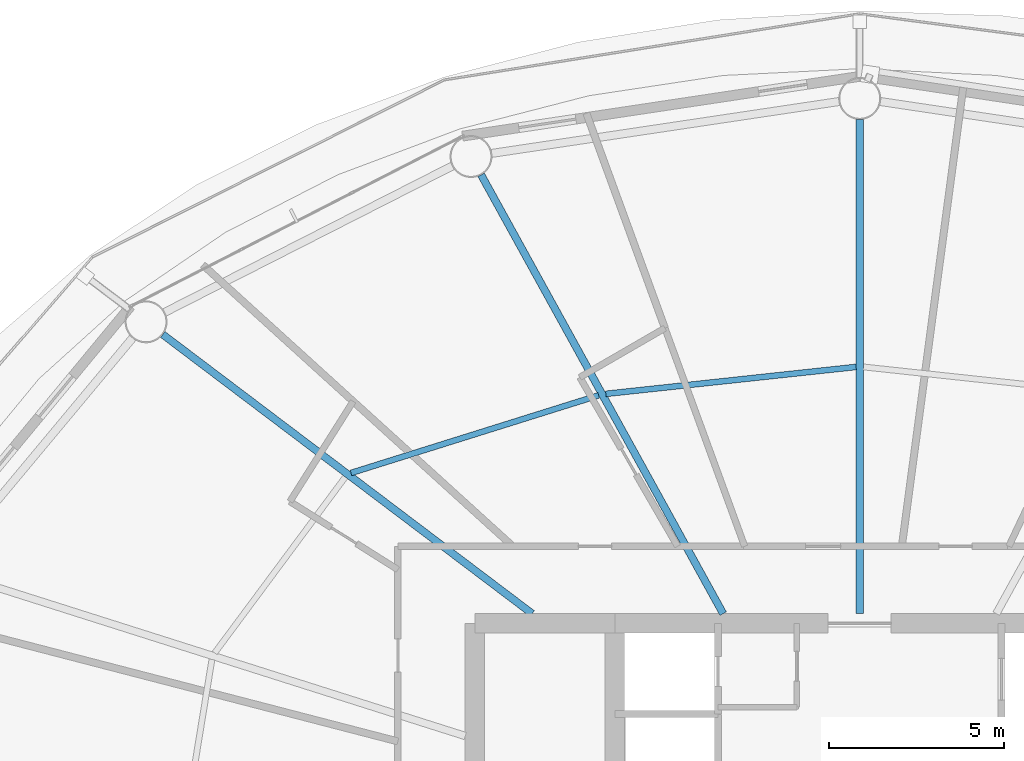
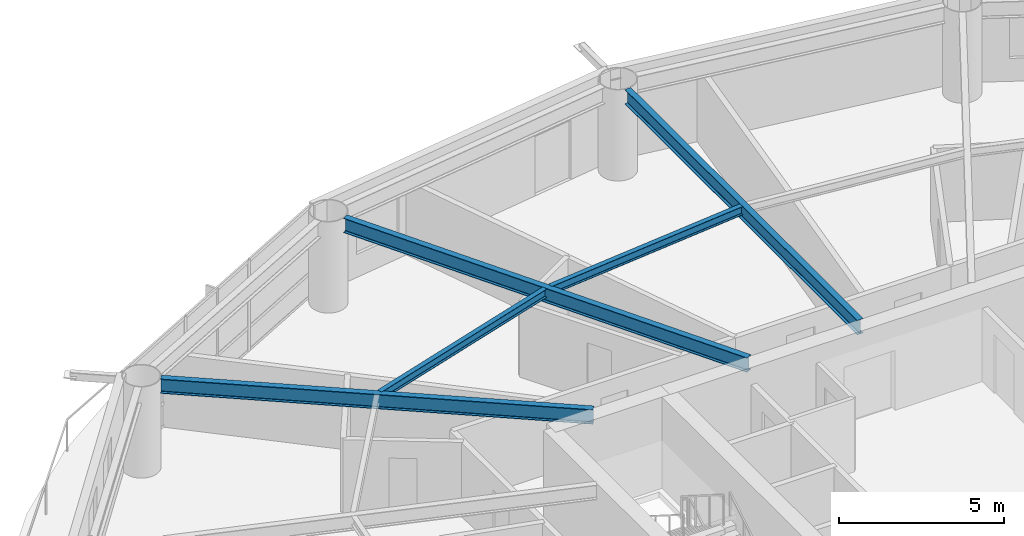
# One storey, part 9 of 24: 5 beams.
"""IFC4 building model written with IfcOpenShell, lengths in metres."""

from ifc_helpers import new_model, si_unit, direction, frame, origin, origin_2d, place, context, subcontext, project, spatial, i_section, extrude, material, material_profile, profile_set, type_object, element, save


model = new_model("IFC4")

# Units and contexts
model_context = context("Model", 3, precision=1e-05, world=origin(), true_north=direction((0.0, 1.0)))
body_context = subcontext(model_context, "Body", "Model", "MODEL_VIEW")
ifc_project = project(units=[si_unit("LENGTHUNIT", "METRE"), si_unit("AREAUNIT", "SQUARE_METRE"), si_unit("VOLUMEUNIT", "CUBIC_METRE"), si_unit("PLANEANGLEUNIT", "RADIAN"), si_unit("MASSUNIT", "GRAM", prefix="KILO")], contexts=[model_context])

# Site, building, storey
site_placement = place(None, origin())
site = spatial("IfcSite", under=ifc_project, at=site_placement, CompositionType="ELEMENT")
building_placement = place(site_placement, origin())
building = spatial("IfcBuilding", under=site, at=building_placement, Name="Sarneth Arch Tower", CompositionType="ELEMENT")
storey_placement = place(building_placement, frame((0.0, 0.0, 112.800048828125)))
storey = spatial("IfcBuildingStorey", under=building, at=storey_placement, Name="L28", CompositionType="ELEMENT", Elevation=112.800048828125)

# Beams
ifc_material_1 = material(Name="Steel S355", Category="steel")
ifc_material_profile_1 = material_profile(ifc_material_1, i_section(OverallWidth=0.1669921875, OverallDepth=0.31689453125, WebThickness=0.007568359375, FlangeThickness=0.01318359375, FilletRadius=0.012939453125, at=origin_2d()), Name="W310x52")
ifc_profile_set_1 = profile_set([ifc_material_profile_1], Name="Steel S355")
beam_type_1 = type_object("IfcBeamType", Name="BM-JOIST-310B", PredefinedType="JOIST", material=ifc_profile_set_1)
beam_1_placement = place(storey_placement, frame((47.89501953125, 56.126220703125, 3.221435546875), z_axis=(-0.994257420028, -0.107014871487, 0.0), x_axis=(0.107014871487, -0.994257420028, 0.0)))
element("IfcBeam", 1, at=beam_1_placement, inside=storey, type_object=beam_type_1, Name="L28 Secondary floor joist 05", PredefinedType="JOIST", context=body_context, shape_type="SweptSolid", body=[
    extrude(i_section(OverallWidth=0.1669921875, OverallDepth=0.31689453125, WebThickness=0.007568359375, FlangeThickness=0.01318359375, FilletRadius=0.012939453125, at=origin_2d()), origin(), (0.0, 0.0, 1.0), 7.193115234375),
])
beam_2_placement = place(storey_placement, frame((40.53759765625, 55.3134765625, 3.221435546875), z_axis=(-0.954245982384, -0.299022750146, 0.0), x_axis=(0.299022750146, -0.954245982384, 0.0)))
element("IfcBeam", 2, at=beam_2_placement, inside=storey, type_object=beam_type_1, Name="L28 Secondary floor joist 06", PredefinedType="JOIST", context=body_context, shape_type="SweptSolid", body=[
    extrude(i_section(OverallWidth=0.1669921875, OverallDepth=0.31689453125, WebThickness=0.007568359375, FlangeThickness=0.01318359375, FilletRadius=0.012939453125, at=origin_2d()), origin(), (0.0, 0.0, 1.0), 7.416748046875),
])
ifc_material_2 = material(Name="Steel S355", Category="steel")
ifc_material_profile_2 = material_profile(ifc_material_2, i_section(OverallWidth=0.2109375, OverallDepth=0.5390625, WebThickness=0.01171875, FlangeThickness=0.018798828125, FilletRadius=0.01806640625, at=origin_2d()), Name="W530x109")
ifc_profile_set_2 = profile_set([ifc_material_profile_2], Name="Steel S355")
beam_type_2 = type_object("IfcBeamType", Name="BM-RAD-530B", PredefinedType="BEAM", material=ifc_profile_set_2)
beam_3_placement = place(storey_placement, frame((48.0, 49.074951171875, 3.1103515625), z_axis=(0.0, 1.0, 0.0), x_axis=(-1.0, 0.0, 0.0)))
element("IfcBeam", 3, at=beam_3_placement, inside=storey, type_object=beam_type_2, Name="L28 Radial floor girder 05", PredefinedType="BEAM", context=body_context, shape_type="SweptSolid", body=[
    extrude(i_section(OverallWidth=0.2109375, OverallDepth=0.5390625, WebThickness=0.01171875, FlangeThickness=0.018798828125, FilletRadius=0.01806640625, at=origin_2d()), origin(), (0.0, 0.0, 1.0), 14.125),
])
beam_4_placement = place(storey_placement, frame((44.09716796875, 49.074951171875, 3.1103515625), z_axis=(-0.483021011336, 0.875608761153, 0.0), x_axis=(-0.875608761153, -0.483021011336, 0.0)))
element("IfcBeam", 4, at=beam_4_placement, inside=storey, type_object=beam_type_2, Name="L28 Radial floor girder 06", PredefinedType="BEAM", context=body_context, shape_type="SweptSolid", body=[
    extrude(i_section(OverallWidth=0.2109375, OverallDepth=0.5390625, WebThickness=0.01171875, FlangeThickness=0.018798828125, FilletRadius=0.01806640625, at=origin_2d()), origin(), (0.0, 0.0, 1.0), 14.32177734375),
])
beam_5_placement = place(storey_placement, frame((38.63818359375, 49.074951171875, 3.1103515625), z_axis=(-0.797802835234, 0.602918432371, 0.0), x_axis=(-0.602918432371, -0.797802835234, 0.0)))
element("IfcBeam", 5, at=beam_5_placement, inside=storey, type_object=beam_type_2, Name="L28 Radial floor girder 07", PredefinedType="BEAM", context=body_context, shape_type="SweptSolid", body=[
    extrude(i_section(OverallWidth=0.2109375, OverallDepth=0.5390625, WebThickness=0.01171875, FlangeThickness=0.018798828125, FilletRadius=0.01806640625, at=origin_2d()), origin(), (0.0, 0.0, 1.0), 13.232666015625),
])

save(model, "model.ifc")
